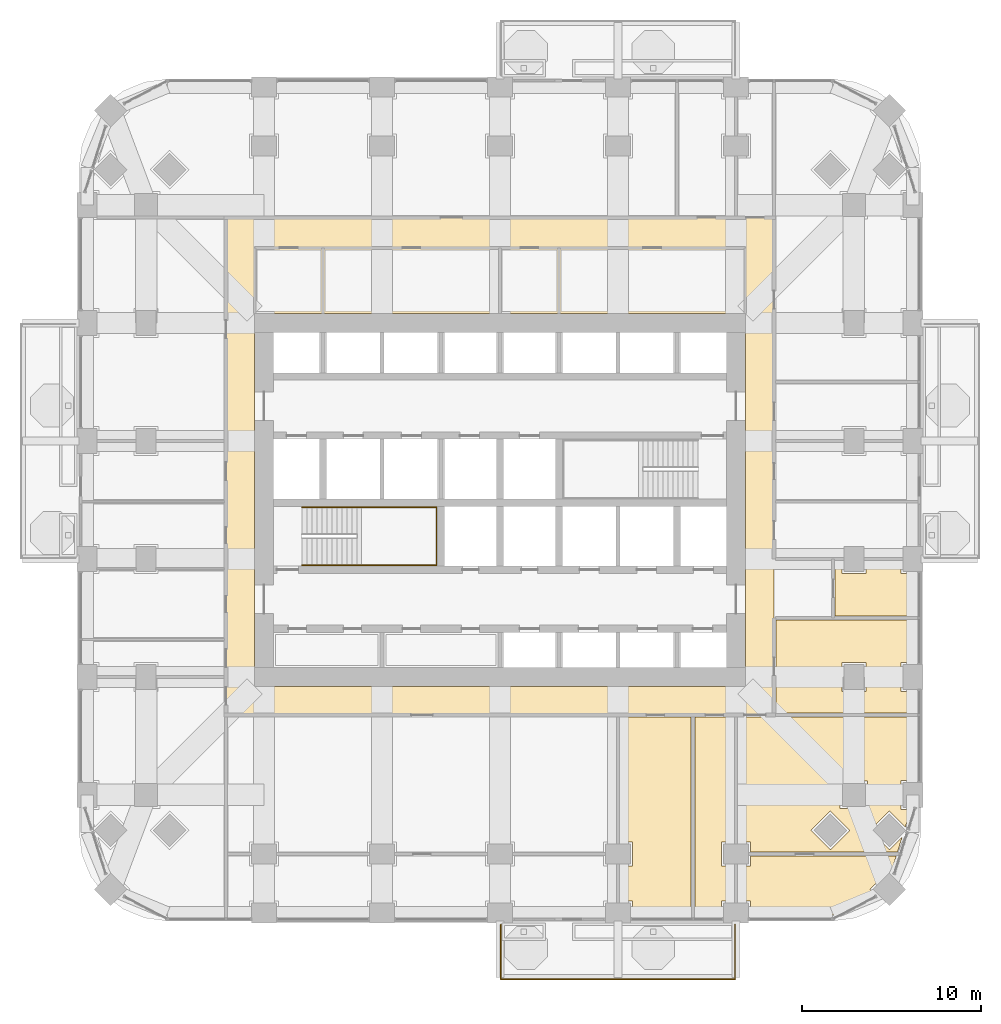
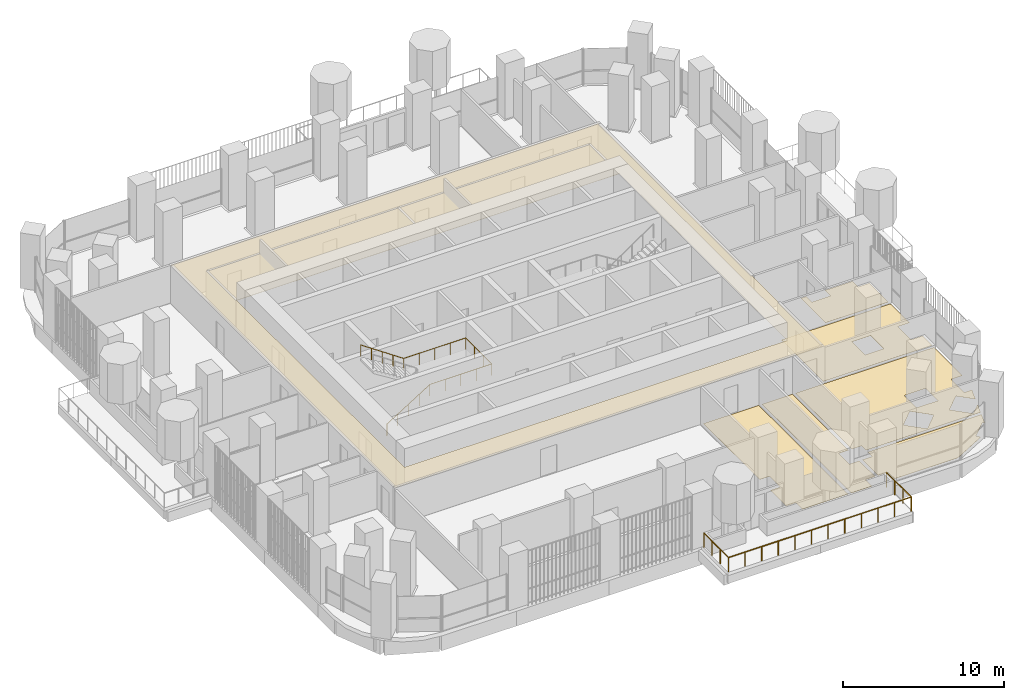
# One storey, part 19 of 22: 7 coverings, 2 railings.
"""IFC4 building model written with IfcOpenShell, lengths in metres."""

from ifc_helpers import new_model, si_unit, direction, frame, origin, place, context, subcontext, project, spatial, polyline, outline, extrude, material, layer, layer_set, type_object, element, save


model = new_model("IFC4")

# Units and contexts
model_context = context("Model", 3, precision=1e-05, world=origin(), true_north=direction((0.0, 1.0)))
body_context = subcontext(model_context, "Body", "Model", "MODEL_VIEW")
ifc_project = project(units=[si_unit("LENGTHUNIT", "METRE"), si_unit("AREAUNIT", "SQUARE_METRE"), si_unit("VOLUMEUNIT", "CUBIC_METRE"), si_unit("PLANEANGLEUNIT", "RADIAN"), si_unit("MASSUNIT", "GRAM", prefix="KILO")], contexts=[model_context])

# Site, building, storey
site_placement = place(None, origin())
site = spatial("IfcSite", under=ifc_project, at=site_placement, CompositionType="ELEMENT")
building_placement = place(site_placement, origin())
building = spatial("IfcBuilding", under=site, at=building_placement, Name="Cobogo Forest Laboratory Tower", CompositionType="ELEMENT")
storey_placement = place(building_placement, frame((0.0, 0.0, 120.0)))
storey = spatial("IfcBuildingStorey", under=building, at=storey_placement, Name="L27", CompositionType="ELEMENT", Elevation=120.0)

# Railing
ifc_material_1 = material(Name="Laminated glass balustrade", Category="glass")
railing_type_1 = type_object("IfcRailingType", Name="BG1 glass balustrade 1100", PredefinedType="GUARDRAIL", material=ifc_material_1)
railing_1_placement = place(storey_placement, frame((26.449951171875, -0.64990234375, 0.0)))
element("IfcRailing", 1, at=railing_1_placement, inside=storey, type_object=railing_type_1, Name="Balcony balustrade BAL-S1 L27", PredefinedType="GUARDRAIL", context=body_context, shape_type="SweptSolid", body=[
    extrude(outline(polyline([(0.022216796875, 0.00927734375), (0.00927734375, 0.022216796875), (-0.00927734375, 0.022216796875), (-0.022216796875, 0.00927734375), (-0.022216796875, -0.00927734375), (-0.00927734375, -0.022216796875), (0.00927734375, -0.022216796875), (0.022216796875, -0.00927734375), (0.022216796875, 0.00927734375)])), frame((0.0, 0.0, 1.077880859375), z_axis=(0.0, -1.0, 0.0), x_axis=(1.0, 0.0, 0.0)), (0.0, 0.0, 1.0), 3.050048828125),
    extrude(outline(polyline([(0.022216796875, 0.00927734375), (0.00927734375, 0.022216796875), (-0.00927734375, 0.022216796875), (-0.022216796875, 0.00927734375), (-0.022216796875, -0.00927734375), (-0.00927734375, -0.022216796875), (0.00927734375, -0.022216796875), (0.022216796875, -0.00927734375), (0.022216796875, 0.00927734375)])), frame((0.0, -3.050048828125, 1.077880859375), z_axis=(1.0, 0.0, 0.0), x_axis=(0.0, 1.0, 0.0)), (0.0, 0.0, 1.0), 13.10009765625),
    extrude(outline(polyline([(0.022216796875, 0.00927734375), (0.00927734375, 0.022216796875), (-0.00927734375, 0.022216796875), (-0.022216796875, 0.00927734375), (-0.022216796875, -0.00927734375), (-0.00927734375, -0.022216796875), (0.00927734375, -0.022216796875), (0.022216796875, -0.00927734375), (0.022216796875, 0.00927734375)])), frame((13.10009765625, -3.050048828125, 1.077880859375), z_axis=(0.0, 1.0, 0.0), x_axis=(-1.0, 0.0, 0.0)), (0.0, 0.0, 1.0), 3.050048828125),
    extrude(outline(polyline([(0.019287109375, 0.008056640625), (0.008056640625, 0.019287109375), (-0.008056640625, 0.019287109375), (-0.019287109375, 0.008056640625), (-0.019287109375, -0.008056640625), (-0.008056640625, -0.019287109375), (0.008056640625, -0.019287109375), (0.019287109375, -0.008056640625), (0.019287109375, 0.008056640625)])), origin(), (0.0, 0.0, 1.0), 1.077880859375),
    extrude(outline(polyline([(0.019287109375, 0.008056640625), (0.008056640625, 0.019287109375), (-0.008056640625, 0.019287109375), (-0.019287109375, 0.008056640625), (-0.019287109375, -0.008056640625), (-0.008056640625, -0.019287109375), (0.008056640625, -0.019287109375), (0.019287109375, -0.008056640625), (0.019287109375, 0.008056640625)])), frame((0.0, -1.0166015625, 0.0)), (0.0, 0.0, 1.0), 1.077880859375),
    extrude(outline(polyline([(0.019287109375, 0.008056640625), (0.008056640625, 0.019287109375), (-0.008056640625, 0.019287109375), (-0.019287109375, 0.008056640625), (-0.019287109375, -0.008056640625), (-0.008056640625, -0.019287109375), (0.008056640625, -0.019287109375), (0.019287109375, -0.008056640625), (0.019287109375, 0.008056640625)])), frame((0.0, -2.033447265625, 0.0)), (0.0, 0.0, 1.0), 1.077880859375),
    extrude(outline(polyline([(0.019287109375, 0.008056640625), (0.008056640625, 0.019287109375), (-0.008056640625, 0.019287109375), (-0.019287109375, 0.008056640625), (-0.019287109375, -0.008056640625), (-0.008056640625, -0.019287109375), (0.008056640625, -0.019287109375), (0.019287109375, -0.008056640625), (0.019287109375, 0.008056640625)])), frame((0.0, -3.050048828125, 0.0)), (0.0, 0.0, 1.0), 1.077880859375),
    extrude(outline(polyline([(0.019287109375, 0.008056640625), (0.008056640625, 0.019287109375), (-0.008056640625, 0.019287109375), (-0.019287109375, 0.008056640625), (-0.019287109375, -0.008056640625), (-0.008056640625, -0.019287109375), (0.008056640625, -0.019287109375), (0.019287109375, -0.008056640625), (0.019287109375, 0.008056640625)])), frame((1.19091796875, -3.050048828125, 0.0)), (0.0, 0.0, 1.0), 1.077880859375),
    extrude(outline(polyline([(0.019287109375, 0.008056640625), (0.008056640625, 0.019287109375), (-0.008056640625, 0.019287109375), (-0.019287109375, 0.008056640625), (-0.019287109375, -0.008056640625), (-0.008056640625, -0.019287109375), (0.008056640625, -0.019287109375), (0.019287109375, -0.008056640625), (0.019287109375, 0.008056640625)])), frame((2.3818359375, -3.050048828125, 0.0)), (0.0, 0.0, 1.0), 1.077880859375),
    extrude(outline(polyline([(0.019287109375, 0.008056640625), (0.008056640625, 0.019287109375), (-0.008056640625, 0.019287109375), (-0.019287109375, 0.008056640625), (-0.019287109375, -0.008056640625), (-0.008056640625, -0.019287109375), (0.008056640625, -0.019287109375), (0.019287109375, -0.008056640625), (0.019287109375, 0.008056640625)])), frame((3.57275390625, -3.050048828125, 0.0)), (0.0, 0.0, 1.0), 1.077880859375),
    extrude(outline(polyline([(0.019287109375, 0.008056640625), (0.008056640625, 0.019287109375), (-0.008056640625, 0.019287109375), (-0.019287109375, 0.008056640625), (-0.019287109375, -0.008056640625), (-0.008056640625, -0.019287109375), (0.008056640625, -0.019287109375), (0.019287109375, -0.008056640625), (0.019287109375, 0.008056640625)])), frame((4.763671875, -3.050048828125, 0.0)), (0.0, 0.0, 1.0), 1.077880859375),
    extrude(outline(polyline([(0.019287109375, 0.008056640625), (0.008056640625, 0.019287109375), (-0.008056640625, 0.019287109375), (-0.019287109375, 0.008056640625), (-0.019287109375, -0.008056640625), (-0.008056640625, -0.019287109375), (0.008056640625, -0.019287109375), (0.019287109375, -0.008056640625), (0.019287109375, 0.008056640625)])), frame((5.95458984375, -3.050048828125, 0.0)), (0.0, 0.0, 1.0), 1.077880859375),
    extrude(outline(polyline([(0.019287109375, 0.008056640625), (0.008056640625, 0.019287109375), (-0.008056640625, 0.019287109375), (-0.019287109375, 0.008056640625), (-0.019287109375, -0.008056640625), (-0.008056640625, -0.019287109375), (0.008056640625, -0.019287109375), (0.019287109375, -0.008056640625), (0.019287109375, 0.008056640625)])), frame((7.1455078125, -3.050048828125, 0.0)), (0.0, 0.0, 1.0), 1.077880859375),
    extrude(outline(polyline([(0.019287109375, 0.008056640625), (0.008056640625, 0.019287109375), (-0.008056640625, 0.019287109375), (-0.019287109375, 0.008056640625), (-0.019287109375, -0.008056640625), (-0.008056640625, -0.019287109375), (0.008056640625, -0.019287109375), (0.019287109375, -0.008056640625), (0.019287109375, 0.008056640625)])), frame((8.33642578125, -3.050048828125, 0.0)), (0.0, 0.0, 1.0), 1.077880859375),
    extrude(outline(polyline([(0.019287109375, 0.008056640625), (0.008056640625, 0.019287109375), (-0.008056640625, 0.019287109375), (-0.019287109375, 0.008056640625), (-0.019287109375, -0.008056640625), (-0.008056640625, -0.019287109375), (0.008056640625, -0.019287109375), (0.019287109375, -0.008056640625), (0.019287109375, 0.008056640625)])), frame((9.52734375, -3.050048828125, 0.0)), (0.0, 0.0, 1.0), 1.077880859375),
    extrude(outline(polyline([(0.019287109375, 0.008056640625), (0.008056640625, 0.019287109375), (-0.008056640625, 0.019287109375), (-0.019287109375, 0.008056640625), (-0.019287109375, -0.008056640625), (-0.008056640625, -0.019287109375), (0.008056640625, -0.019287109375), (0.019287109375, -0.008056640625), (0.019287109375, 0.008056640625)])), frame((10.71826171875, -3.050048828125, 0.0)), (0.0, 0.0, 1.0), 1.077880859375),
    extrude(outline(polyline([(0.019287109375, 0.008056640625), (0.008056640625, 0.019287109375), (-0.008056640625, 0.019287109375), (-0.019287109375, 0.008056640625), (-0.019287109375, -0.008056640625), (-0.008056640625, -0.019287109375), (0.008056640625, -0.019287109375), (0.019287109375, -0.008056640625), (0.019287109375, 0.008056640625)])), frame((11.9091796875, -3.050048828125, 0.0)), (0.0, 0.0, 1.0), 1.077880859375),
    extrude(outline(polyline([(0.019287109375, 0.008056640625), (0.008056640625, 0.019287109375), (-0.008056640625, 0.019287109375), (-0.019287109375, 0.008056640625), (-0.019287109375, -0.008056640625), (-0.008056640625, -0.019287109375), (0.008056640625, -0.019287109375), (0.019287109375, -0.008056640625), (0.019287109375, 0.008056640625)])), frame((13.10009765625, -3.050048828125, 0.0)), (0.0, 0.0, 1.0), 1.077880859375),
    extrude(outline(polyline([(0.019287109375, 0.008056640625), (0.008056640625, 0.019287109375), (-0.008056640625, 0.019287109375), (-0.019287109375, 0.008056640625), (-0.019287109375, -0.008056640625), (-0.008056640625, -0.019287109375), (0.008056640625, -0.019287109375), (0.019287109375, -0.008056640625), (0.019287109375, 0.008056640625)])), frame((13.10009765625, -2.033447265625, 0.0)), (0.0, 0.0, 1.0), 1.077880859375),
    extrude(outline(polyline([(0.019287109375, 0.008056640625), (0.008056640625, 0.019287109375), (-0.008056640625, 0.019287109375), (-0.019287109375, 0.008056640625), (-0.019287109375, -0.008056640625), (-0.008056640625, -0.019287109375), (0.008056640625, -0.019287109375), (0.019287109375, -0.008056640625), (0.019287109375, 0.008056640625)])), frame((13.10009765625, -1.0166015625, 0.0)), (0.0, 0.0, 1.0), 1.077880859375),
    extrude(outline(polyline([(0.019287109375, 0.008056640625), (0.008056640625, 0.019287109375), (-0.008056640625, 0.019287109375), (-0.019287109375, 0.008056640625), (-0.019287109375, -0.008056640625), (-0.008056640625, -0.019287109375), (0.008056640625, -0.019287109375), (0.019287109375, -0.008056640625), (0.019287109375, 0.008056640625)])), frame((13.10009765625, 0.0, 0.0)), (0.0, 0.0, 1.0), 1.077880859375),
])

# Coverings
ifc_material_2 = material(Name="Mineral fibre ceiling tile", Category="ceiling")
ifc_layer_1 = layer(ifc_material_2, 0.02001953125)
ifc_layer_set_1 = layer_set([ifc_layer_1], Name="CL1 suspended ceiling")
covering_type_1 = type_object("IfcCoveringType", Name="CL1 suspended ceiling", PredefinedType="CEILING", material=ifc_layer_set_1)
covering_1_placement = place(storey_placement, frame((0.0, 0.0, 2.800048828125)))
element("IfcCovering", 2, at=covering_1_placement, inside=storey, type_object=covering_type_1, Name="Corridor ceiling L27", PredefinedType="CEILING", context=body_context, shape_type="SweptSolid", body=[
    extrude(outline(polyline([(11.074951171875, 11.074951171875), (11.074951171875, 38.89990234375), (41.72509765625, 38.89990234375), (41.72509765625, 11.074951171875), (11.074951171875, 11.074951171875)]), holes=[polyline([(40.125, 33.52490234375), (12.675048828125, 33.52490234375), (12.675048828125, 12.675048828125), (40.125, 12.675048828125), (40.125, 33.52490234375)])]), origin(), (0.0, 0.0, 1.0), 0.02001953125),
])
ifc_material_3 = material(Name="Carpet tile on raised access floor", Category="flooring")
ifc_layer_2 = layer(ifc_material_3, 0.008056640625)
ifc_layer_set_2 = layer_set([ifc_layer_2], Name="CT1 carpet tile floor 8")
covering_type_2 = type_object("IfcCoveringType", Name="CT1 carpet tile floor 8", PredefinedType="FLOORING", material=ifc_layer_set_2)
covering_2_placement = place(storey_placement, origin())
element("IfcCovering", 3, at=covering_2_placement, inside=storey, type_object=covering_type_2, Name="Carpet floor L27-07", PredefinedType="FLOORING", context=body_context, shape_type="SweptSolid", body=[
    extrude(outline(polyline([(37.080078125, 10.955078125), (37.080078125, -0.14990234375), (33.820068359375, -0.14990234375), (33.820068359375, 0.669921875), (33.1201171875, 0.669921875), (33.1201171875, 2.6298828125), (33.820068359375, 2.6298828125), (33.820068359375, 3.969970703125), (33.1201171875, 3.969970703125), (33.1201171875, 10.955078125), (37.080078125, 10.955078125)])), origin(), (0.0, 0.0, 1.0), 0.008056640625),
])
covering_3_placement = place(storey_placement, origin())
element("IfcCovering", 4, at=covering_3_placement, inside=storey, type_object=covering_type_2, Name="Carpet floor L27-10", PredefinedType="FLOORING", context=body_context, shape_type="SweptSolid", body=[
    extrude(outline(polyline([(48.560302734375, 3.179931640625), (48.283935546875, 2.304931640625), (48.181884765625, 2.406982421875), (47.093017578125, 1.318115234375), (47.3193359375, 1.091552734375), (44.95068359375, -0.14990234375), (40.419921875, -0.14990234375), (40.419921875, 0.669921875), (39.719970703125, 0.669921875), (39.719970703125, 2.6298828125), (40.419921875, 2.6298828125), (40.419921875, 3.179931640625), (48.560302734375, 3.179931640625)])), origin(), (0.0, 0.0, 1.0), 0.008056640625),
])
covering_4_placement = place(storey_placement, origin())
element("IfcCovering", 5, at=covering_4_placement, inside=storey, type_object=covering_type_2, Name="Carpet floor L27-11", PredefinedType="FLOORING", context=body_context, shape_type="SweptSolid", body=[
    extrude(outline(polyline([(41.844970703125, 16.3798828125), (49.64990234375, 16.3798828125), (49.64990234375, 14.02001953125), (48.830078125, 14.02001953125), (48.830078125, 12.3798828125), (49.64990234375, 12.3798828125), (49.64990234375, 11.195068359375), (41.844970703125, 11.195068359375), (41.844970703125, 16.3798828125)]), holes=[polyline([(45.530029296875, 12.3798828125), (46.8701171875, 12.3798828125), (46.8701171875, 14.02001953125), (45.530029296875, 14.02001953125), (45.530029296875, 12.3798828125)])]), origin(), (0.0, 0.0, 1.0), 0.008056640625),
])
covering_5_placement = place(storey_placement, origin())
element("IfcCovering", 6, at=covering_5_placement, inside=storey, type_object=covering_type_2, Name="Carpet floor L27-12", PredefinedType="FLOORING", context=body_context, shape_type="SweptSolid", body=[
    extrude(outline(polyline([(45.14501953125, 19.679931640625), (45.530029296875, 19.679931640625), (45.530029296875, 18.97998046875), (46.8701171875, 18.97998046875), (46.8701171875, 19.679931640625), (48.830078125, 19.679931640625), (48.830078125, 18.97998046875), (49.64990234375, 18.97998046875), (49.64990234375, 16.6201171875), (45.14501953125, 16.6201171875), (45.14501953125, 19.679931640625)])), origin(), (0.0, 0.0, 1.0), 0.008056640625),
])

# Railing
ifc_material_4 = material(Name="Stainless steel handrail", Category="steel")
railing_type_2 = type_object("IfcRailingType", Name="HR handrail 900", PredefinedType="HANDRAIL", material=ifc_material_4)
railing_2_placement = place(storey_placement, frame((15.324951171875, 19.449951171875, 0.175048828125)))
element("IfcRailing", 7, at=railing_2_placement, inside=storey, type_object=railing_type_2, Name="Stair handrail ST1 L27", PredefinedType="HANDRAIL", context=body_context, shape_type="SweptSolid", body=[
    extrude(outline(polyline([(0.022216796875, 0.00927734375), (0.00927734375, 0.022216796875), (-0.00927734375, 0.022216796875), (-0.022216796875, 0.00927734375), (-0.022216796875, -0.00927734375), (-0.00927734375, -0.022216796875), (0.00927734375, -0.022216796875), (0.022216796875, -0.00927734375), (0.022216796875, 0.00927734375)])), frame((0.0, 0.0, 0.877685546875), z_axis=(0.847998304005, 0.0, 0.529998940003), x_axis=(0.0, 1.0, 0.0)), (0.0, 0.0, 1.0), 3.632080078125),
    extrude(outline(polyline([(0.022216796875, 0.00927734375), (0.00927734375, 0.022216796875), (-0.00927734375, 0.022216796875), (-0.022216796875, 0.00927734375), (-0.022216796875, -0.00927734375), (-0.00927734375, -0.022216796875), (0.00927734375, -0.022216796875), (0.022216796875, -0.00927734375), (0.022216796875, 0.00927734375)])), frame((3.080078125, 0.0, 2.802734375), z_axis=(1.0, 0.0, 0.0), x_axis=(0.0, 1.0, 0.0)), (0.0, 0.0, 1.0), 4.445068359375),
    extrude(outline(polyline([(0.022216796875, 0.00927734375), (0.00927734375, 0.022216796875), (-0.00927734375, 0.022216796875), (-0.022216796875, 0.00927734375), (-0.022216796875, -0.00927734375), (-0.00927734375, -0.022216796875), (0.00927734375, -0.022216796875), (0.022216796875, -0.00927734375), (0.022216796875, 0.00927734375)])), frame((7.525146484375, 0.0, 2.802734375), z_axis=(0.0, 1.0, 0.0), x_axis=(-1.0, 0.0, 0.0)), (0.0, 0.0, 1.0), 3.25),
    extrude(outline(polyline([(0.022216796875, 0.00927734375), (0.00927734375, 0.022216796875), (-0.00927734375, 0.022216796875), (-0.022216796875, 0.00927734375), (-0.022216796875, -0.00927734375), (-0.00927734375, -0.022216796875), (0.00927734375, -0.022216796875), (0.022216796875, -0.00927734375), (0.022216796875, 0.00927734375)])), frame((7.525146484375, 3.25, 2.802734375), z_axis=(-1.0, 0.0, 0.0), x_axis=(0.0, -1.0, 0.0)), (0.0, 0.0, 1.0), 4.445068359375),
    extrude(outline(polyline([(0.022216796875, 0.00927734375), (0.00927734375, 0.022216796875), (-0.00927734375, 0.022216796875), (-0.022216796875, 0.00927734375), (-0.022216796875, -0.00927734375), (-0.00927734375, -0.022216796875), (0.00927734375, -0.022216796875), (0.022216796875, -0.00927734375), (0.022216796875, 0.00927734375)])), frame((3.080078125, 3.25, 2.802734375), z_axis=(-0.826252282691, 0.0, 0.563300244406), x_axis=(0.0, -1.0, 0.0)), (0.0, 0.0, 1.0), 3.727783203125),
    extrude(outline(polyline([(0.019287109375, 0.008056640625), (0.008056640625, 0.019287109375), (-0.008056640625, 0.019287109375), (-0.019287109375, 0.008056640625), (-0.019287109375, -0.008056640625), (-0.008056640625, -0.019287109375), (0.008056640625, -0.019287109375), (0.019287109375, -0.008056640625), (0.019287109375, 0.008056640625)])), origin(), (0.0, 0.0, 1.0), 0.877685546875),
    extrude(outline(polyline([(0.019287109375, 0.008056640625), (0.008056640625, 0.019287109375), (-0.008056640625, 0.019287109375), (-0.019287109375, 0.008056640625), (-0.019287109375, -0.008056640625), (-0.008056640625, -0.019287109375), (0.008056640625, -0.019287109375), (0.019287109375, -0.008056640625), (0.019287109375, 0.008056640625)])), frame((0.77001953125, 0.0, 0.481201171875)), (0.0, 0.0, 1.0), 0.877685546875),
    extrude(outline(polyline([(0.019287109375, 0.008056640625), (0.008056640625, 0.019287109375), (-0.008056640625, 0.019287109375), (-0.019287109375, 0.008056640625), (-0.019287109375, -0.008056640625), (-0.008056640625, -0.019287109375), (0.008056640625, -0.019287109375), (0.019287109375, -0.008056640625), (0.019287109375, 0.008056640625)])), frame((1.5400390625, 0.0, 0.96240234375)), (0.0, 0.0, 1.0), 0.877685546875),
    extrude(outline(polyline([(0.019287109375, 0.008056640625), (0.008056640625, 0.019287109375), (-0.008056640625, 0.019287109375), (-0.019287109375, 0.008056640625), (-0.019287109375, -0.008056640625), (-0.008056640625, -0.019287109375), (0.008056640625, -0.019287109375), (0.019287109375, -0.008056640625), (0.019287109375, 0.008056640625)])), frame((2.31005859375, 0.0, 1.44384765625)), (0.0, 0.0, 1.0), 0.877685546875),
    extrude(outline(polyline([(0.019287109375, 0.008056640625), (0.008056640625, 0.019287109375), (-0.008056640625, 0.019287109375), (-0.019287109375, 0.008056640625), (-0.019287109375, -0.008056640625), (-0.008056640625, -0.019287109375), (0.008056640625, -0.019287109375), (0.019287109375, -0.008056640625), (0.019287109375, 0.008056640625)])), frame((3.080078125, 0.0, 1.925048828125)), (0.0, 0.0, 1.0), 0.877685546875),
    extrude(outline(polyline([(0.019287109375, 0.008056640625), (0.008056640625, 0.019287109375), (-0.008056640625, 0.019287109375), (-0.019287109375, 0.008056640625), (-0.019287109375, -0.008056640625), (-0.008056640625, -0.019287109375), (0.008056640625, -0.019287109375), (0.019287109375, -0.008056640625), (0.019287109375, 0.008056640625)])), frame((4.19140625, 0.0, 1.925048828125)), (0.0, 0.0, 1.0), 0.877685546875),
    extrude(outline(polyline([(0.019287109375, 0.008056640625), (0.008056640625, 0.019287109375), (-0.008056640625, 0.019287109375), (-0.019287109375, 0.008056640625), (-0.019287109375, -0.008056640625), (-0.008056640625, -0.019287109375), (0.008056640625, -0.019287109375), (0.019287109375, -0.008056640625), (0.019287109375, 0.008056640625)])), frame((5.302734375, 0.0, 1.925048828125)), (0.0, 0.0, 1.0), 0.877685546875),
    extrude(outline(polyline([(0.019287109375, 0.008056640625), (0.008056640625, 0.019287109375), (-0.008056640625, 0.019287109375), (-0.019287109375, 0.008056640625), (-0.019287109375, -0.008056640625), (-0.008056640625, -0.019287109375), (0.008056640625, -0.019287109375), (0.019287109375, -0.008056640625), (0.019287109375, 0.008056640625)])), frame((6.413818359375, 0.0, 1.925048828125)), (0.0, 0.0, 1.0), 0.877685546875),
    extrude(outline(polyline([(0.019287109375, 0.008056640625), (0.008056640625, 0.019287109375), (-0.008056640625, 0.019287109375), (-0.019287109375, 0.008056640625), (-0.019287109375, -0.008056640625), (-0.008056640625, -0.019287109375), (0.008056640625, -0.019287109375), (0.019287109375, -0.008056640625), (0.019287109375, 0.008056640625)])), frame((7.525146484375, 0.0, 1.925048828125)), (0.0, 0.0, 1.0), 0.877685546875),
    extrude(outline(polyline([(0.019287109375, 0.008056640625), (0.008056640625, 0.019287109375), (-0.008056640625, 0.019287109375), (-0.019287109375, 0.008056640625), (-0.019287109375, -0.008056640625), (-0.008056640625, -0.019287109375), (0.008056640625, -0.019287109375), (0.019287109375, -0.008056640625), (0.019287109375, 0.008056640625)])), frame((7.525146484375, 1.083251953125, 1.925048828125)), (0.0, 0.0, 1.0), 0.877685546875),
    extrude(outline(polyline([(0.019287109375, 0.008056640625), (0.008056640625, 0.019287109375), (-0.008056640625, 0.019287109375), (-0.019287109375, 0.008056640625), (-0.019287109375, -0.008056640625), (-0.008056640625, -0.019287109375), (0.008056640625, -0.019287109375), (0.019287109375, -0.008056640625), (0.019287109375, 0.008056640625)])), frame((7.525146484375, 2.166748046875, 1.925048828125)), (0.0, 0.0, 1.0), 0.877685546875),
    extrude(outline(polyline([(0.019287109375, 0.008056640625), (0.008056640625, 0.019287109375), (-0.008056640625, 0.019287109375), (-0.019287109375, 0.008056640625), (-0.019287109375, -0.008056640625), (-0.008056640625, -0.019287109375), (0.008056640625, -0.019287109375), (0.019287109375, -0.008056640625), (0.019287109375, 0.008056640625)])), frame((7.525146484375, 3.25, 1.925048828125)), (0.0, 0.0, 1.0), 0.877685546875),
    extrude(outline(polyline([(0.019287109375, 0.008056640625), (0.008056640625, 0.019287109375), (-0.008056640625, 0.019287109375), (-0.019287109375, 0.008056640625), (-0.019287109375, -0.008056640625), (-0.008056640625, -0.019287109375), (0.008056640625, -0.019287109375), (0.019287109375, -0.008056640625), (0.019287109375, 0.008056640625)])), frame((6.413818359375, 3.25, 1.925048828125)), (0.0, 0.0, 1.0), 0.877685546875),
    extrude(outline(polyline([(0.019287109375, 0.008056640625), (0.008056640625, 0.019287109375), (-0.008056640625, 0.019287109375), (-0.019287109375, 0.008056640625), (-0.019287109375, -0.008056640625), (-0.008056640625, -0.019287109375), (0.008056640625, -0.019287109375), (0.019287109375, -0.008056640625), (0.019287109375, 0.008056640625)])), frame((5.302734375, 3.25, 1.925048828125)), (0.0, 0.0, 1.0), 0.877685546875),
    extrude(outline(polyline([(0.019287109375, 0.008056640625), (0.008056640625, 0.019287109375), (-0.008056640625, 0.019287109375), (-0.019287109375, 0.008056640625), (-0.019287109375, -0.008056640625), (-0.008056640625, -0.019287109375), (0.008056640625, -0.019287109375), (0.019287109375, -0.008056640625), (0.019287109375, 0.008056640625)])), frame((4.19140625, 3.25, 1.925048828125)), (0.0, 0.0, 1.0), 0.877685546875),
    extrude(outline(polyline([(0.019287109375, 0.008056640625), (0.008056640625, 0.019287109375), (-0.008056640625, 0.019287109375), (-0.019287109375, 0.008056640625), (-0.019287109375, -0.008056640625), (-0.008056640625, -0.019287109375), (0.008056640625, -0.019287109375), (0.019287109375, -0.008056640625), (0.019287109375, 0.008056640625)])), frame((3.080078125, 3.25, 1.925048828125)), (0.0, 0.0, 1.0), 0.877685546875),
    extrude(outline(polyline([(0.019287109375, 0.008056640625), (0.008056640625, 0.019287109375), (-0.008056640625, 0.019287109375), (-0.019287109375, 0.008056640625), (-0.019287109375, -0.008056640625), (-0.008056640625, -0.019287109375), (0.008056640625, -0.019287109375), (0.019287109375, -0.008056640625), (0.019287109375, 0.008056640625)])), frame((2.31005859375, 3.25, 2.449951171875)), (0.0, 0.0, 1.0), 0.877685546875),
    extrude(outline(polyline([(0.019287109375, 0.008056640625), (0.008056640625, 0.019287109375), (-0.008056640625, 0.019287109375), (-0.019287109375, 0.008056640625), (-0.019287109375, -0.008056640625), (-0.008056640625, -0.019287109375), (0.008056640625, -0.019287109375), (0.019287109375, -0.008056640625), (0.019287109375, 0.008056640625)])), frame((1.5400390625, 3.25, 2.97509765625)), (0.0, 0.0, 1.0), 0.877685546875),
    extrude(outline(polyline([(0.019287109375, 0.008056640625), (0.008056640625, 0.019287109375), (-0.008056640625, 0.019287109375), (-0.019287109375, 0.008056640625), (-0.019287109375, -0.008056640625), (-0.008056640625, -0.019287109375), (0.008056640625, -0.019287109375), (0.019287109375, -0.008056640625), (0.019287109375, 0.008056640625)])), frame((0.77001953125, 3.25, 3.5)), (0.0, 0.0, 1.0), 0.877685546875),
    extrude(outline(polyline([(0.019287109375, 0.008056640625), (0.008056640625, 0.019287109375), (-0.008056640625, 0.019287109375), (-0.019287109375, 0.008056640625), (-0.019287109375, -0.008056640625), (-0.008056640625, -0.019287109375), (0.008056640625, -0.019287109375), (0.019287109375, -0.008056640625), (0.019287109375, 0.008056640625)])), frame((0.0, 3.25, 4.02490234375)), (0.0, 0.0, 1.0), 0.877685546875),
])

# Coverings
ifc_material_5 = material(Name="Epoxy resin flooring", Category="flooring")
ifc_layer_3 = layer(ifc_material_5, 0.00390625)
ifc_layer_set_3 = layer_set([ifc_layer_3], Name="LF1 epoxy laboratory floor 4")
covering_type_3 = type_object("IfcCoveringType", Name="LF1 epoxy laboratory floor 4", PredefinedType="FLOORING", material=ifc_layer_set_3)
covering_6_placement = place(storey_placement, origin())
element("IfcCovering", 8, at=covering_6_placement, inside=storey, type_object=covering_type_3, Name="Epoxy laboratory floor L27-09", PredefinedType="FLOORING", context=body_context, shape_type="SweptSolid", body=[
    extrude(outline(polyline([(39.719970703125, 10.955078125), (49.64990234375, 10.955078125), (49.64990234375, 7.419921875), (48.830078125, 7.419921875), (48.830078125, 5.780029296875), (49.38134765625, 5.780029296875), (49.075927734375, 4.81298828125), (48.181884765625, 5.70703125), (47.093017578125, 4.617919921875), (48.181884765625, 3.529052734375), (48.89599609375, 4.2431640625), (48.635986328125, 3.419921875), (40.419921875, 3.419921875), (40.419921875, 3.969970703125), (39.719970703125, 3.969970703125), (39.719970703125, 10.955078125)]), holes=[polyline([(45.429931640625, 5.830078125), (46.969970703125, 5.830078125), (46.969970703125, 7.3701171875), (45.429931640625, 7.3701171875), (45.429931640625, 5.830078125)]), polyline([(43.79296875, 4.617919921875), (44.882080078125, 3.529052734375), (45.970947265625, 4.617919921875), (44.882080078125, 5.70703125), (43.79296875, 4.617919921875)])]), origin(), (0.0, 0.0, 1.0), 0.00390625),
])
ifc_material_6 = material(Name="Ceramic floor tile", Category="flooring")
ifc_layer_4 = layer(ifc_material_6, 0.010009765625)
ifc_layer_set_4 = layer_set([ifc_layer_4], Name="TF1 ceramic tile floor 10")
covering_type_4 = type_object("IfcCoveringType", Name="TF1 ceramic tile floor 10", PredefinedType="FLOORING", material=ifc_layer_set_4)
covering_7_placement = place(storey_placement, origin())
element("IfcCovering", 9, at=covering_7_placement, inside=storey, type_object=covering_type_4, Name="Tile floor L27-08", PredefinedType="FLOORING", context=body_context, shape_type="SweptSolid", body=[
    extrude(outline(polyline([(39.47998046875, 10.955078125), (39.47998046875, 3.969970703125), (38.780029296875, 3.969970703125), (38.780029296875, 2.6298828125), (39.47998046875, 2.6298828125), (39.47998046875, 0.669921875), (38.780029296875, 0.669921875), (38.780029296875, -0.14990234375), (37.320068359375, -0.14990234375), (37.320068359375, 10.955078125), (39.47998046875, 10.955078125)])), origin(), (0.0, 0.0, 1.0), 0.010009765625),
])

save(model, "model.ifc")
